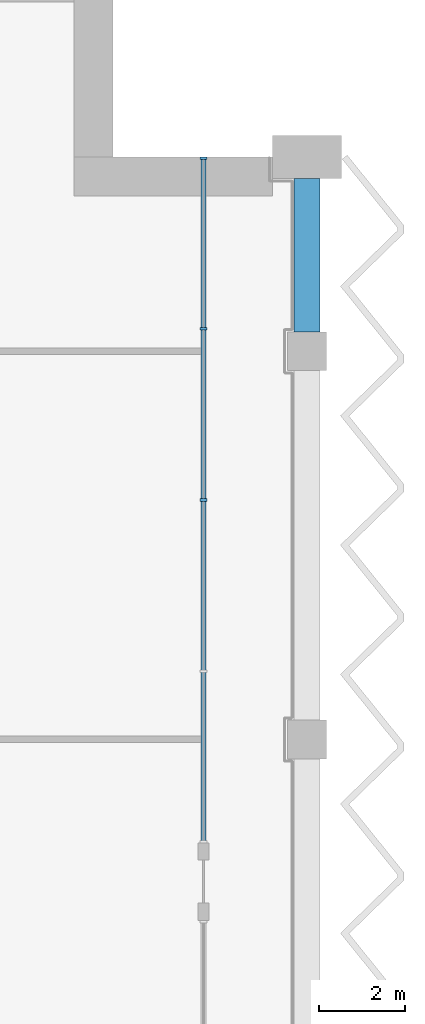
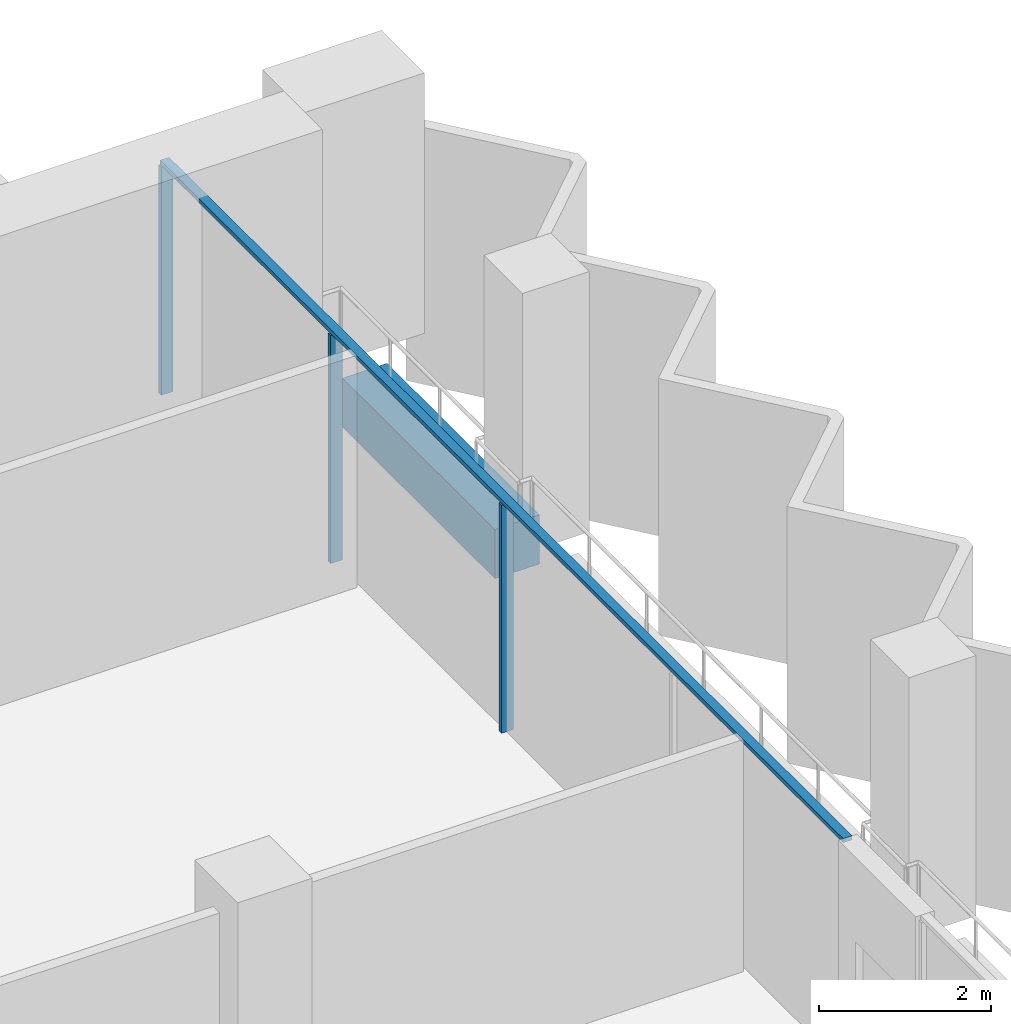
# One storey, part 5 of 16: 4 members, 1 beam, 1 element without a shape of its own.
"""IFC4 building model written with IfcOpenShell, lengths in metres."""

from ifc_helpers import new_model, si_unit, direction, frame, origin, origin_2d, place, context, subcontext, project, spatial, rectangle, extrude, material, material_profile, profile_set, type_object, element, aggregate, save


model = new_model("IFC4")

# Units and contexts
model_context = context("Model", 3, precision=1e-05, world=origin(), true_north=direction((0.0, 1.0)))
body_context = subcontext(model_context, "Body", "Model", "MODEL_VIEW")
ifc_project = project(units=[si_unit("LENGTHUNIT", "METRE"), si_unit("AREAUNIT", "SQUARE_METRE"), si_unit("VOLUMEUNIT", "CUBIC_METRE"), si_unit("PLANEANGLEUNIT", "RADIAN"), si_unit("MASSUNIT", "GRAM", prefix="KILO")], contexts=[model_context])

# Site, building, storey
site_placement = place(None, origin())
site = spatial("IfcSite", under=ifc_project, at=site_placement, CompositionType="ELEMENT")
building_placement = place(site_placement, origin())
building = spatial("IfcBuilding", under=site, at=building_placement, Name="Hunhe Ridgeline Campus", CompositionType="ELEMENT")
storey_placement = place(building_placement, frame((0.0, 0.0, 235.5)))
storey = spatial("IfcBuildingStorey", under=building, at=storey_placement, Name="L60", CompositionType="ELEMENT", Elevation=235.5)

# Curtain wall, members
ifc_material_1 = material(Name="Aluminium 6063", Category="aluminium")
curtain_wall_type = type_object("IfcCurtainWallType", Name="Curtain wall CW-1", PredefinedType="NOTDEFINED", material=ifc_material_1)
curtain_wall_placement = place(storey_placement, origin())
curtain_wall = element("IfcCurtainWall", 1, at=curtain_wall_placement, inside=storey, type_object=curtain_wall_type, Name="Curtain wall 14", PredefinedType="NOTDEFINED")
ifc_material_profile_1 = material_profile(ifc_material_1, rectangle(XDim=0.159912109375, YDim=0.06005859375, at=origin_2d()))
ifc_profile_set_1 = profile_set([ifc_material_profile_1], Name="Aluminium 6063")
member_type_1 = type_object("IfcMemberType", Name="CW-1 aluminium mullion", PredefinedType="MULLION", material=ifc_profile_set_1)
member_1_placement = place(storey_placement, frame((51.59912109375, 86.55029296875, 0.0), z_axis=(0.0, 0.0, 1.0), x_axis=(-1.0, 0.0, 0.0)))
member_1 = element("IfcMember", 2, at=member_1_placement, type_object=member_type_1, Name="CW-1 mullion 3", PredefinedType="MULLION", context=body_context, shape_type="SweptSolid", body=[
    extrude(rectangle(XDim=0.159912109375, YDim=0.06005859375, at=origin_2d()), origin(), (0.0, 0.0, 1.0), 3.239990234375),
])
member_2_placement = place(storey_placement, frame((51.59912109375, 90.525146484375, 0.0), z_axis=(0.0, 0.0, 1.0), x_axis=(-1.0, 0.0, 0.0)))
member_2 = element("IfcMember", 3, at=member_2_placement, type_object=member_type_1, Name="CW-1 mullion 4", PredefinedType="MULLION", context=body_context, shape_type="SweptSolid", body=[
    extrude(rectangle(XDim=0.159912109375, YDim=0.06005859375, at=origin_2d()), origin(), (0.0, 0.0, 1.0), 3.239990234375),
])
member_3_placement = place(storey_placement, frame((51.59912109375, 94.469970703125, 0.0), z_axis=(0.0, 0.0, 1.0), x_axis=(-1.0, 0.0, 0.0)))
member_3 = element("IfcMember", 4, at=member_3_placement, type_object=member_type_1, Name="CW-1 mullion 5", PredefinedType="MULLION", context=body_context, shape_type="SweptSolid", body=[
    extrude(rectangle(XDim=0.159912109375, YDim=0.06005859375, at=origin_2d()), origin(), (0.0, 0.0, 1.0), 3.239990234375),
])
ifc_material_profile_2 = material_profile(ifc_material_1, rectangle(XDim=0.1201171875, YDim=0.06005859375, at=origin_2d()))
ifc_profile_set_2 = profile_set([ifc_material_profile_2], Name="Aluminium 6063")
member_type_2 = type_object("IfcMemberType", Name="CW-1 aluminium transom", PredefinedType="USERDEFINED", material=ifc_profile_set_2)
member_4_placement = place(storey_placement, frame((51.59912109375, 78.6005859375, 3.27001953125), z_axis=(0.0, 1.0, 0.0), x_axis=(-1.0, 0.0, 0.0)))
member_4 = element("IfcMember", 5, at=member_4_placement, type_object=member_type_2, Name="CW-1 transom 1", ObjectType="TRANSOM", PredefinedType="USERDEFINED", context=body_context, shape_type="SweptSolid", body=[
    extrude(rectangle(XDim=0.1201171875, YDim=0.06005859375, at=origin_2d()), origin(), (0.0, 0.0, 1.0), 15.8994140625),
])
aggregate(curtain_wall, [member_4, member_1, member_2, member_3])

# Beam
ifc_material_2 = material(Name="Concrete C50", Category="concrete")
ifc_material_profile_3 = material_profile(ifc_material_2, rectangle(XDim=0.60009765625, YDim=0.699951171875, at=origin_2d()))
ifc_profile_set_3 = profile_set([ifc_material_profile_3], Name="Concrete C50")
beam_type = type_object("IfcBeamType", Name="RC spandrel beam 600x700 Concrete C50", PredefinedType="SPANDREL", material=ifc_profile_set_3)
beam_placement = place(storey_placement, frame((54.0, 90.449951171875, -0.60009765625), z_axis=(0.0, 1.0, 0.0), x_axis=(-1.0, 0.0, 0.0)))
element("IfcBeam", 6, at=beam_placement, inside=storey, type_object=beam_type, Name="Spandrel beam B4-17 L60", PredefinedType="SPANDREL", context=body_context, shape_type="SweptSolid", body=[
    extrude(rectangle(XDim=0.60009765625, YDim=0.699951171875, at=origin_2d()), origin(), (0.0, 0.0, 1.0), 3.550048828125),
])

save(model, "model.ifc")
